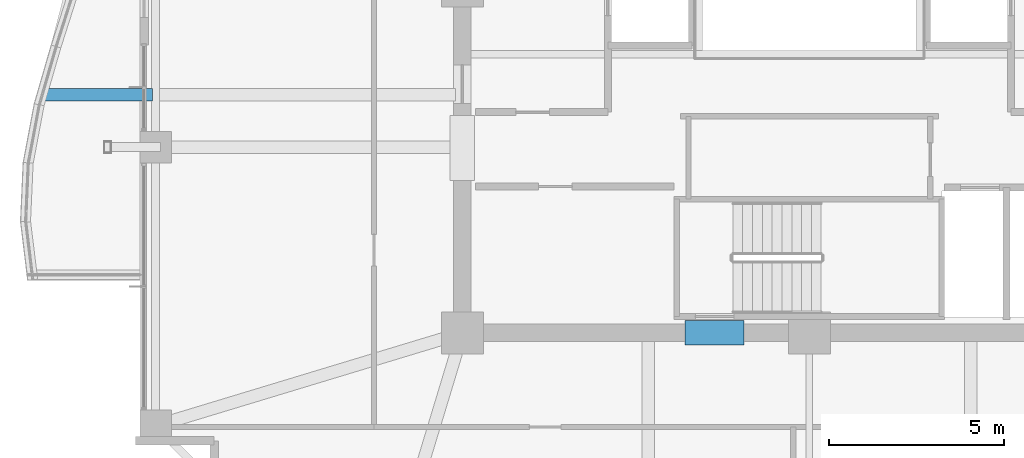
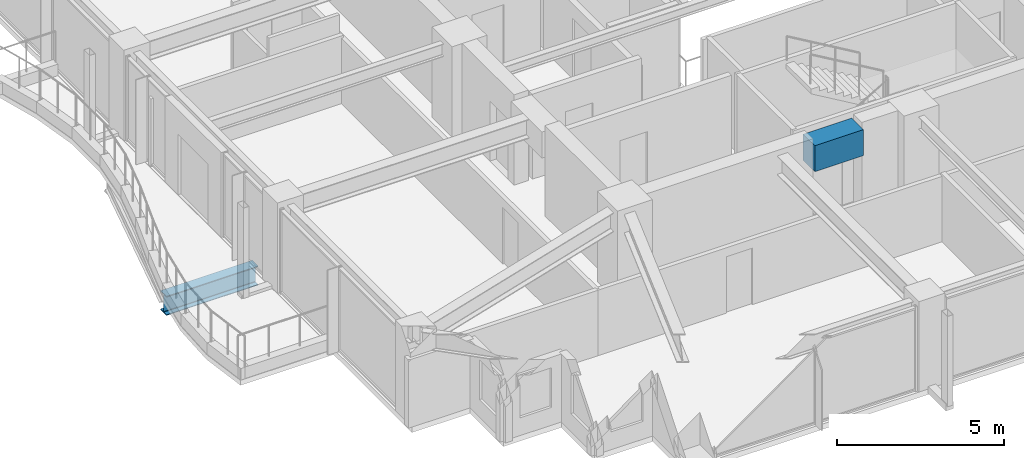
# One storey, part 8 of 35: 2 beams.
"""IFC4 building model written with IfcOpenShell, lengths in metres."""

from ifc_helpers import new_model, si_unit, direction, frame, origin, origin_2d, place, context, subcontext, project, spatial, rectangle, i_section, extrude, material, material_profile, profile_set, type_object, element, save


model = new_model("IFC4")

# Units and contexts
model_context = context("Model", 3, precision=1e-05, world=origin(), true_north=direction((0.0, 1.0)))
body_context = subcontext(model_context, "Body", "Model", "MODEL_VIEW")
ifc_project = project(units=[si_unit("LENGTHUNIT", "METRE"), si_unit("AREAUNIT", "SQUARE_METRE"), si_unit("VOLUMEUNIT", "CUBIC_METRE"), si_unit("PLANEANGLEUNIT", "RADIAN"), si_unit("MASSUNIT", "GRAM", prefix="KILO")], contexts=[model_context])

# Site, building, storey
site_placement = place(None, origin())
site = spatial("IfcSite", under=ifc_project, at=site_placement, CompositionType="ELEMENT")
building_placement = place(site_placement, origin())
building = spatial("IfcBuilding", under=site, at=building_placement, Name="Kolvaren Belvedere", CompositionType="ELEMENT")
storey_placement = place(building_placement, frame((0.0, 0.0, 163.5)))
storey = spatial("IfcBuildingStorey", under=building, at=storey_placement, Name="L47", CompositionType="ELEMENT", Elevation=163.5)

# Beams
ifc_material_1 = material(Name="Structural steel ASTM A992 Grade 50", Category="steel")
ifc_material_profile_1 = material_profile(ifc_material_1, i_section(OverallWidth=0.35498046875, OverallDepth=0.696044921875, WebThickness=0.015380859375, FlangeThickness=0.02490234375, FilletRadius=0.02197265625, at=origin_2d()), Name="W27X146")
ifc_profile_set_1 = profile_set([ifc_material_profile_1], Name="Structural steel ASTM A992 Grade 50")
beam_type_1 = type_object("IfcBeamType", Name="BM-CANT-BAL", PredefinedType="BEAM", material=ifc_profile_set_1)
beam_1_placement = place(storey_placement, frame((-18.7451171875, -3.10009765625, -0.548095703125), z_axis=(-1.0, 0.0, 0.0), x_axis=(0.0, -1.0, 0.0)))
element("IfcBeam", 1, at=beam_1_placement, inside=storey, type_object=beam_type_1, Name="L47 Planted Balcony Cantilever BAL-W-1", PredefinedType="BEAM", context=body_context, shape_type="SweptSolid", body=[
    extrude(i_section(OverallWidth=0.35498046875, OverallDepth=0.696044921875, WebThickness=0.015380859375, FlangeThickness=0.02490234375, FilletRadius=0.02197265625, at=origin_2d()), origin(), (0.0, 0.0, 1.0), 3.16796875),
])
ifc_material_2 = material(Name="Concrete C60/75", Category="concrete")
ifc_material_profile_2 = material_profile(ifc_material_2, rectangle(XDim=0.699951171875, YDim=0.949951171875, at=origin_2d()), Name="RC 700X950")
ifc_profile_set_2 = profile_set([ifc_material_profile_2], Name="Concrete C60/75")
beam_type_2 = type_object("IfcBeamType", Name="BM-LINT-950", PredefinedType="LINTEL", material=ifc_profile_set_2)
beam_2_placement = place(storey_placement, frame((-3.5400390625, -9.89990234375, 2.625), z_axis=(1.0, 0.0, 0.0), x_axis=(0.0, 1.0, 0.0)))
element("IfcBeam", 2, at=beam_2_placement, inside=storey, type_object=beam_type_2, Name="L47 South Core Coupling Lintel", PredefinedType="LINTEL", context=body_context, shape_type="SweptSolid", body=[
    extrude(rectangle(XDim=0.699951171875, YDim=0.949951171875, at=origin_2d()), origin(), (0.0, 0.0, 1.0), 1.679931640625),
])

save(model, "model.ifc")
